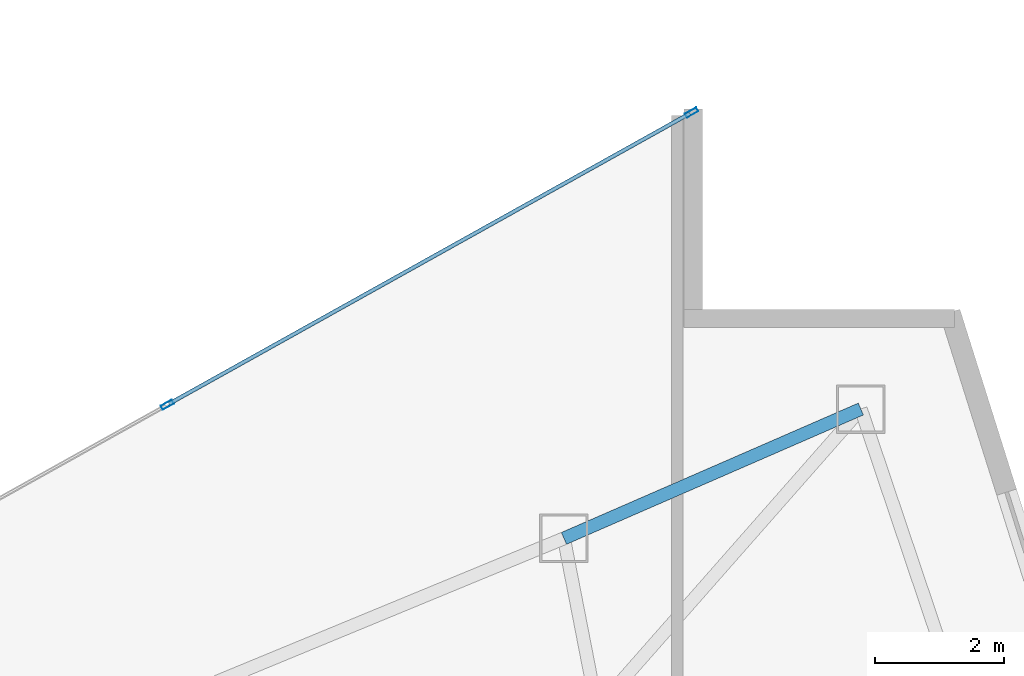
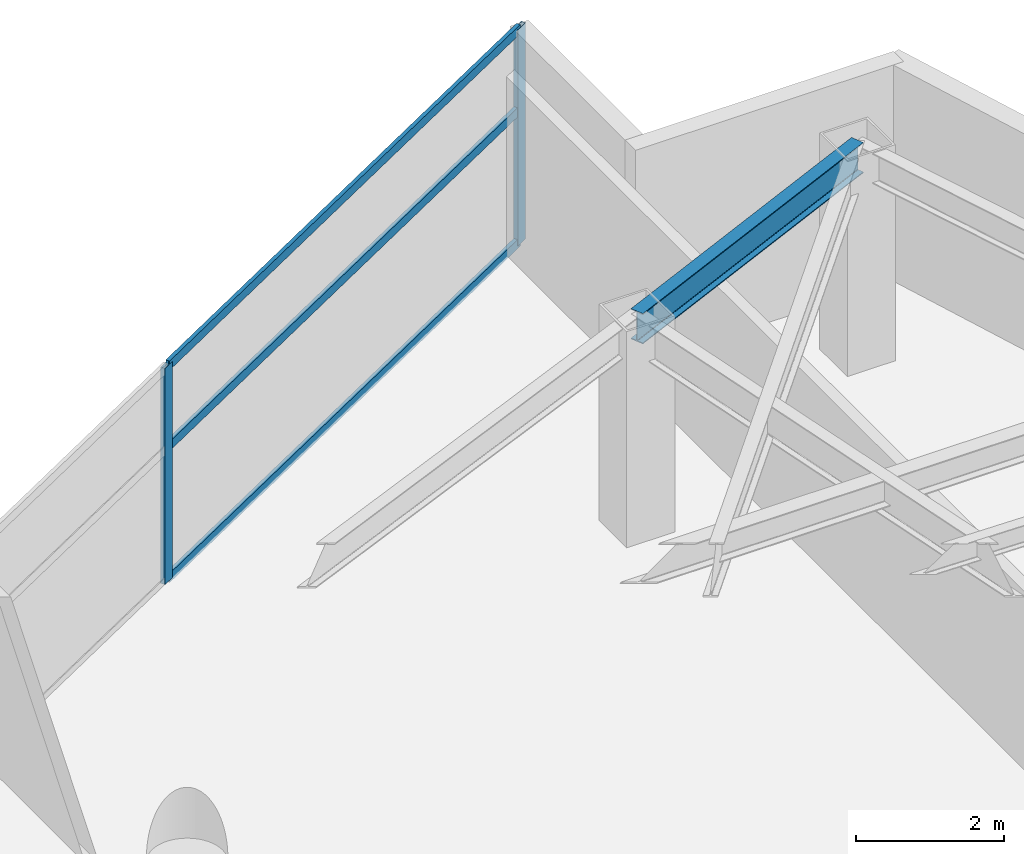
# One storey, part 20 of 28: 5 members, 1 beam, 1 element without a shape of its own.
"""IFC4 building model written with IfcOpenShell, lengths in metres."""

from ifc_helpers import new_model, si_unit, direction, frame, origin, origin_2d, place, context, subcontext, project, spatial, hollow_rectangle, i_section, extrude, material, layer, layer_set, material_profile, profile_set, type_object, element, aggregate, save


model = new_model("IFC4")

# Units and contexts
model_context = context("Model", 3, precision=1e-05, world=origin(), true_north=direction((0.0, 1.0)))
body_context = subcontext(model_context, "Body", "Model", "MODEL_VIEW")
ifc_project = project(units=[si_unit("LENGTHUNIT", "METRE"), si_unit("AREAUNIT", "SQUARE_METRE"), si_unit("VOLUMEUNIT", "CUBIC_METRE"), si_unit("PLANEANGLEUNIT", "RADIAN"), si_unit("MASSUNIT", "GRAM", prefix="KILO")], contexts=[model_context])

# Site, building, storey
site_placement = place(None, origin())
site = spatial("IfcSite", under=ifc_project, at=site_placement, CompositionType="ELEMENT")
building_placement = place(site_placement, origin())
building = spatial("IfcBuilding", under=site, at=building_placement, Name="Calvorn Quay Hotel", CompositionType="ELEMENT")
storey_placement = place(building_placement, frame((0.0, 0.0, 156.10009765625)))
storey = spatial("IfcBuildingStorey", under=building, at=storey_placement, Name="L38", CompositionType="ELEMENT", Elevation=156.10009765625)

# Beam
ifc_material_1 = material(Name="Steel Q355B", Category="steel")
ifc_material_profile_1 = material_profile(ifc_material_1, i_section(OverallWidth=0.199951171875, OverallDepth=0.5, WebThickness=0.010009765625, FlangeThickness=0.01611328125, FilletRadius=0.01611328125, at=origin_2d()), Name="HN500x200x10x16")
ifc_profile_set_1 = profile_set([ifc_material_profile_1], Name="Steel Q355B")
beam_type = type_object("IfcBeamType", Name="BM-SPANDREL-Z1", PredefinedType="SPANDREL", material=ifc_profile_set_1)
beam_placement = place(storey_placement, frame((48.591064453125, 33.39990234375, 3.289794921875), z_axis=(-0.916786146489, -0.399378469132, 0.0), x_axis=(0.399378469132, -0.916786146489, 0.0)))
element("IfcBeam", 1, at=beam_placement, inside=storey, type_object=beam_type, Name="Beam BSP-L38-E3", PredefinedType="SPANDREL", context=body_context, shape_type="SweptSolid", body=[
    extrude(i_section(OverallWidth=0.199951171875, OverallDepth=0.5, WebThickness=0.010009765625, FlangeThickness=0.01611328125, FilletRadius=0.01611328125, at=origin_2d()), origin(), (0.0, 0.0, 1.0), 5.0078125),
])

# Curtain wall, members
ifc_material_2 = material(Name="Pale Anodised Aluminium and Low-E Glass", Category="aluminium")
ifc_layer = layer(ifc_material_2, 0.219970703125)
ifc_layer_set = layer_set([ifc_layer], Name="CW-SYS-Z2")
curtain_wall_type = type_object("IfcCurtainWallType", Name="CW-SYS-Z2", PredefinedType="NOTDEFINED", material=ifc_layer_set)
curtain_wall_placement = place(storey_placement, origin())
curtain_wall = element("IfcCurtainWall", 2, at=curtain_wall_placement, inside=storey, type_object=curtain_wall_type, Name="Inner Court Curtain Wall L38-NE1", PredefinedType="NOTDEFINED")
ifc_material_3 = material(Name="Pale Anodised Aluminium 6063-T6", Category="aluminium")
ifc_material_profile_2 = material_profile(ifc_material_3, hollow_rectangle(XDim=0.070068359375, YDim=0.199951171875, WallThickness=0.00390625, at=origin_2d()), Name="ALU-M200x70x4")
ifc_profile_set_2 = profile_set([ifc_material_profile_2], Name="Pale Anodised Aluminium 6063-T6")
member_type_1 = type_object("IfcMemberType", Name="CW-SYS-Z2-MUL", PredefinedType="MULLION", material=ifc_profile_set_2)
member_1_placement = place(storey_placement, frame((45.973876953125, 37.9853515625, 0.0), z_axis=(0.0, 0.0, 1.0), x_axis=(0.486858256224, -0.873480989116, 0.0)))
member_1 = element("IfcMember", 3, at=member_1_placement, type_object=member_type_1, Name="CW-L38-NE1 mullion 1", PredefinedType="MULLION", context=body_context, shape_type="SweptSolid", body=[
    extrude(hollow_rectangle(XDim=0.070068359375, YDim=0.199951171875, WallThickness=0.00390625, at=origin_2d()), origin(), (0.0, 0.0, 1.0), 3.559814453125),
])
member_2_placement = place(storey_placement, frame((37.86669921875, 33.466552734375, 0.0), z_axis=(0.0, 0.0, 1.0), x_axis=(0.486858256224, -0.873480989116, 0.0)))
member_2 = element("IfcMember", 4, at=member_2_placement, type_object=member_type_1, Name="CW-L38-NE1 mullion 2", PredefinedType="MULLION", context=body_context, shape_type="SweptSolid", body=[
    extrude(hollow_rectangle(XDim=0.070068359375, YDim=0.199951171875, WallThickness=0.00390625, at=origin_2d()), origin(), (0.0, 0.0, 1.0), 3.559814453125),
])
ifc_material_4 = material(Name="Pale Anodised Aluminium 6063-T6", Category="aluminium")
ifc_material_profile_3 = material_profile(ifc_material_4, hollow_rectangle(XDim=0.06005859375, YDim=0.14990234375, WallThickness=0.00341796875, at=origin_2d()), Name="ALU-T150x60x3.5")
ifc_profile_set_3 = profile_set([ifc_material_profile_3], Name="Pale Anodised Aluminium 6063-T6")
member_type_2 = type_object("IfcMemberType", Name="CW-SYS-Z2-TRN", PredefinedType="USERDEFINED", material=ifc_profile_set_3)
member_3_placement = place(storey_placement, frame((45.947509765625, 37.970703125, 0.02978515625), z_axis=(-0.87348080454, -0.486858587375, 0.0), x_axis=(0.486858587375, -0.87348080454, 0.0)))
member_3 = element("IfcMember", 5, at=member_3_placement, type_object=member_type_2, Name="CW-L38-NE1 transom 1.1", ObjectType="TRANSOM", PredefinedType="USERDEFINED", context=body_context, shape_type="SweptSolid", body=[
    extrude(hollow_rectangle(XDim=0.06005859375, YDim=0.14990234375, WallThickness=0.00341796875, at=origin_2d()), origin(), (0.0, 0.0, 1.0), 9.221435546875),
])
member_4_placement = place(storey_placement, frame((45.947509765625, 37.970703125, 2.199951171875), z_axis=(-0.87348080454, -0.486858587375, 0.0), x_axis=(0.486858587375, -0.87348080454, 0.0)))
member_4 = element("IfcMember", 6, at=member_4_placement, type_object=member_type_2, Name="CW-L38-NE1 transom 1.2", ObjectType="TRANSOM", PredefinedType="USERDEFINED", context=body_context, shape_type="SweptSolid", body=[
    extrude(hollow_rectangle(XDim=0.06005859375, YDim=0.14990234375, WallThickness=0.00341796875, at=origin_2d()), origin(), (0.0, 0.0, 1.0), 9.221435546875),
])
member_5_placement = place(storey_placement, frame((45.947509765625, 37.970703125, 3.52978515625), z_axis=(-0.87348080454, -0.486858587375, 0.0), x_axis=(0.486858587375, -0.87348080454, 0.0)))
member_5 = element("IfcMember", 7, at=member_5_placement, type_object=member_type_2, Name="CW-L38-NE1 transom 1.3", ObjectType="TRANSOM", PredefinedType="USERDEFINED", context=body_context, shape_type="SweptSolid", body=[
    extrude(hollow_rectangle(XDim=0.06005859375, YDim=0.14990234375, WallThickness=0.00341796875, at=origin_2d()), origin(), (0.0, 0.0, 1.0), 9.221435546875),
])
aggregate(curtain_wall, [member_1, member_2, member_3, member_4, member_5])

save(model, "model.ifc")
